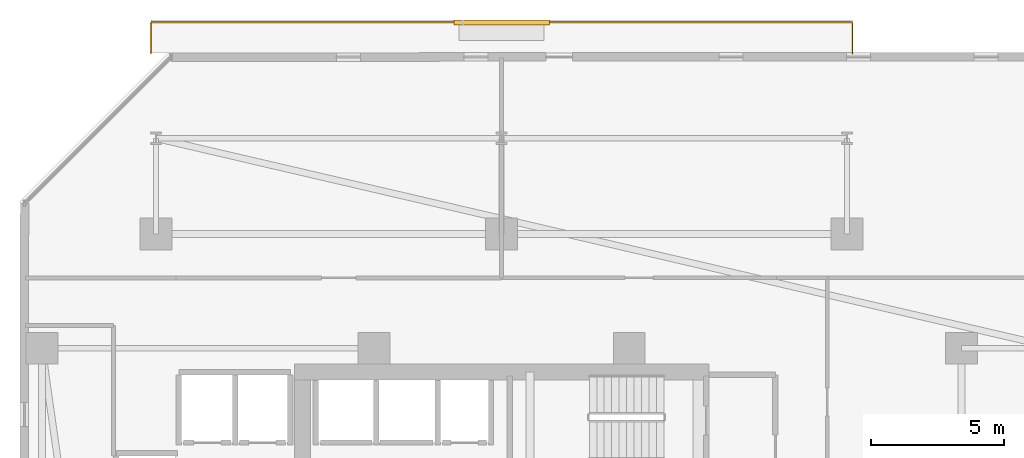
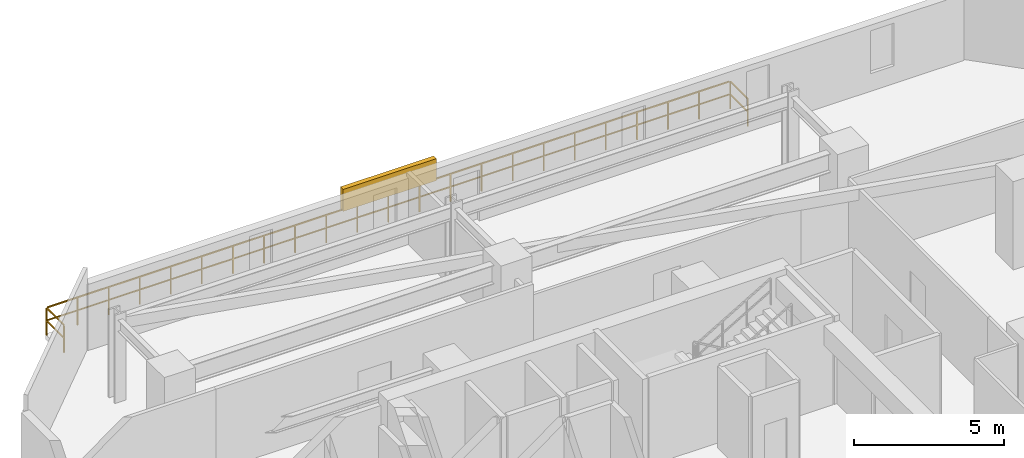
# One storey, part 27 of 29: 1 railing, 1 shading device.
"""IFC4 building model written with IfcOpenShell, lengths in metres."""

from ifc_helpers import new_model, si_unit, direction, frame, origin, origin_2d, place, context, subcontext, project, spatial, rectangle, extrude, material, type_object, element, save


model = new_model("IFC4")

# Units and contexts
model_context = context("Model", 3, precision=1e-05, world=origin(), true_north=direction((0.0, 1.0)))
body_context = subcontext(model_context, "Body", "Model", "MODEL_VIEW")
ifc_project = project(units=[si_unit("LENGTHUNIT", "METRE"), si_unit("AREAUNIT", "SQUARE_METRE"), si_unit("VOLUMEUNIT", "CUBIC_METRE"), si_unit("PLANEANGLEUNIT", "RADIAN"), si_unit("MASSUNIT", "GRAM", prefix="KILO")], contexts=[model_context])

# Site, building, storey
site_placement = place(None, origin())
site = spatial("IfcSite", under=ifc_project, at=site_placement, CompositionType="ELEMENT")
building_placement = place(site_placement, origin())
building = spatial("IfcBuilding", under=site, at=building_placement, Name="Thornwick Lancets Civic Towers", CompositionType="ELEMENT")
storey_placement = place(building_placement, frame((0.0, 0.0, 83.699951171875)))
storey = spatial("IfcBuildingStorey", under=building, at=storey_placement, Name="L21", CompositionType="ELEMENT", Elevation=83.699951171875)

# Railing
ifc_material_1 = material(Name="Terracotta-capped laminated glass balustrade S355", Category="masonry")
railing_type = type_object("IfcRailingType", Name="RAIL_TERR_GUARD", PredefinedType="GUARDRAIL", material=ifc_material_1)
railing_placement = place(storey_placement, frame((12.300048828125, 51.10009765625, 0.0)))
element("IfcRailing", 1, at=railing_placement, inside=storey, type_object=railing_type, Name="L21 Tower A Balcony Guard N", PredefinedType="GUARDRAIL", context=body_context, shape_type="SweptSolid", body=[
    extrude(rectangle(XDim=0.048095703125, YDim=0.048095703125, at=origin_2d()), frame((0.0, 0.0, 1.1259765625), z_axis=(0.0, 1.0, 0.0), x_axis=(-1.0, 0.0, 0.0)), (0.0, 0.0, 1.0), 1.138671875),
    extrude(rectangle(XDim=0.0419921875, YDim=0.0419921875, at=origin_2d()), frame((0.0, 0.03759765625, 0.597900390625), z_axis=(0.0, 1.0, 0.0), x_axis=(-1.0, 0.0, 0.0)), (0.0, 0.0, 1.0), 1.094970703125),
    extrude(rectangle(XDim=0.048095703125, YDim=0.048095703125, at=origin_2d()), frame((0.03125, 1.169921875, 1.1259765625), z_axis=(1.0, 0.0, 0.0), x_axis=(0.0, 1.0, 0.0)), (0.0, 0.0, 1.0), 26.33740234375),
    extrude(rectangle(XDim=0.0419921875, YDim=0.0419921875, at=origin_2d()), frame((0.03759765625, 1.169921875, 0.597900390625), z_axis=(1.0, 0.0, 0.0), x_axis=(0.0, 1.0, 0.0)), (0.0, 0.0, 1.0), 1.125),
    extrude(rectangle(XDim=0.0419921875, YDim=0.0419921875, at=origin_2d()), frame((1.237548828125, 1.169921875, 0.597900390625), z_axis=(1.0, 0.0, 0.0), x_axis=(0.0, 1.0, 0.0)), (0.0, 0.0, 1.0), 1.125),
    extrude(rectangle(XDim=0.0419921875, YDim=0.0419921875, at=origin_2d()), frame((2.4375, 1.169921875, 0.597900390625), z_axis=(1.0, 0.0, 0.0), x_axis=(0.0, 1.0, 0.0)), (0.0, 0.0, 1.0), 1.125),
    extrude(rectangle(XDim=0.0419921875, YDim=0.0419921875, at=origin_2d()), frame((3.637451171875, 1.169921875, 0.597900390625), z_axis=(1.0, 0.0, 0.0), x_axis=(0.0, 1.0, 0.0)), (0.0, 0.0, 1.0), 1.125),
    extrude(rectangle(XDim=0.0419921875, YDim=0.0419921875, at=origin_2d()), frame((4.83740234375, 1.169921875, 0.597900390625), z_axis=(1.0, 0.0, 0.0), x_axis=(0.0, 1.0, 0.0)), (0.0, 0.0, 1.0), 1.125),
    extrude(rectangle(XDim=0.0419921875, YDim=0.0419921875, at=origin_2d()), frame((6.037353515625, 1.169921875, 0.597900390625), z_axis=(1.0, 0.0, 0.0), x_axis=(0.0, 1.0, 0.0)), (0.0, 0.0, 1.0), 1.125),
    extrude(rectangle(XDim=0.0419921875, YDim=0.0419921875, at=origin_2d()), frame((7.237548828125, 1.169921875, 0.597900390625), z_axis=(1.0, 0.0, 0.0), x_axis=(0.0, 1.0, 0.0)), (0.0, 0.0, 1.0), 1.125),
    extrude(rectangle(XDim=0.0419921875, YDim=0.0419921875, at=origin_2d()), frame((8.4375, 1.169921875, 0.597900390625), z_axis=(1.0, 0.0, 0.0), x_axis=(0.0, 1.0, 0.0)), (0.0, 0.0, 1.0), 1.125),
    extrude(rectangle(XDim=0.0419921875, YDim=0.0419921875, at=origin_2d()), frame((9.637451171875, 1.169921875, 0.597900390625), z_axis=(1.0, 0.0, 0.0), x_axis=(0.0, 1.0, 0.0)), (0.0, 0.0, 1.0), 1.125),
    extrude(rectangle(XDim=0.0419921875, YDim=0.0419921875, at=origin_2d()), frame((10.83740234375, 1.169921875, 0.597900390625), z_axis=(1.0, 0.0, 0.0), x_axis=(0.0, 1.0, 0.0)), (0.0, 0.0, 1.0), 1.125),
    extrude(rectangle(XDim=0.0419921875, YDim=0.0419921875, at=origin_2d()), frame((12.037353515625, 1.169921875, 0.597900390625), z_axis=(1.0, 0.0, 0.0), x_axis=(0.0, 1.0, 0.0)), (0.0, 0.0, 1.0), 1.125),
    extrude(rectangle(XDim=0.0419921875, YDim=0.0419921875, at=origin_2d()), frame((13.237548828125, 1.169921875, 0.597900390625), z_axis=(1.0, 0.0, 0.0), x_axis=(0.0, 1.0, 0.0)), (0.0, 0.0, 1.0), 1.125),
    extrude(rectangle(XDim=0.0419921875, YDim=0.0419921875, at=origin_2d()), frame((14.4375, 1.169921875, 0.597900390625), z_axis=(1.0, 0.0, 0.0), x_axis=(0.0, 1.0, 0.0)), (0.0, 0.0, 1.0), 1.125),
    extrude(rectangle(XDim=0.0419921875, YDim=0.0419921875, at=origin_2d()), frame((15.637451171875, 1.169921875, 0.597900390625), z_axis=(1.0, 0.0, 0.0), x_axis=(0.0, 1.0, 0.0)), (0.0, 0.0, 1.0), 1.125),
    extrude(rectangle(XDim=0.0419921875, YDim=0.0419921875, at=origin_2d()), frame((16.83740234375, 1.169921875, 0.597900390625), z_axis=(1.0, 0.0, 0.0), x_axis=(0.0, 1.0, 0.0)), (0.0, 0.0, 1.0), 1.125),
    extrude(rectangle(XDim=0.0419921875, YDim=0.0419921875, at=origin_2d()), frame((18.037353515625, 1.169921875, 0.597900390625), z_axis=(1.0, 0.0, 0.0), x_axis=(0.0, 1.0, 0.0)), (0.0, 0.0, 1.0), 1.125),
    extrude(rectangle(XDim=0.0419921875, YDim=0.0419921875, at=origin_2d()), frame((19.2373046875, 1.169921875, 0.597900390625), z_axis=(1.0, 0.0, 0.0), x_axis=(0.0, 1.0, 0.0)), (0.0, 0.0, 1.0), 1.125),
    extrude(rectangle(XDim=0.0419921875, YDim=0.0419921875, at=origin_2d()), frame((20.4375, 1.169921875, 0.597900390625), z_axis=(1.0, 0.0, 0.0), x_axis=(0.0, 1.0, 0.0)), (0.0, 0.0, 1.0), 1.125),
    extrude(rectangle(XDim=0.0419921875, YDim=0.0419921875, at=origin_2d()), frame((21.637451171875, 1.169921875, 0.597900390625), z_axis=(1.0, 0.0, 0.0), x_axis=(0.0, 1.0, 0.0)), (0.0, 0.0, 1.0), 1.125),
    extrude(rectangle(XDim=0.0419921875, YDim=0.0419921875, at=origin_2d()), frame((22.83740234375, 1.169921875, 0.597900390625), z_axis=(1.0, 0.0, 0.0), x_axis=(0.0, 1.0, 0.0)), (0.0, 0.0, 1.0), 1.125),
    extrude(rectangle(XDim=0.0419921875, YDim=0.0419921875, at=origin_2d()), frame((24.037353515625, 1.169921875, 0.597900390625), z_axis=(1.0, 0.0, 0.0), x_axis=(0.0, 1.0, 0.0)), (0.0, 0.0, 1.0), 1.125),
    extrude(rectangle(XDim=0.0419921875, YDim=0.0419921875, at=origin_2d()), frame((25.2373046875, 1.169921875, 0.597900390625), z_axis=(1.0, 0.0, 0.0), x_axis=(0.0, 1.0, 0.0)), (0.0, 0.0, 1.0), 1.125),
    extrude(rectangle(XDim=0.048095703125, YDim=0.048095703125, at=origin_2d()), frame((26.39990234375, 1.138671875, 1.1259765625), z_axis=(0.0, -1.0, 0.0), x_axis=(1.0, 0.0, 0.0)), (0.0, 0.0, 1.0), 1.138671875),
    extrude(rectangle(XDim=0.0419921875, YDim=0.0419921875, at=origin_2d()), frame((26.39990234375, 1.13232421875, 0.597900390625), z_axis=(0.0, -1.0, 0.0), x_axis=(1.0, 0.0, 0.0)), (0.0, 0.0, 1.0), 1.094970703125),
    extrude(rectangle(XDim=0.0419921875, YDim=0.0419921875, at=origin_2d()), origin(), (0.0, 0.0, 1.0), 1.095703125),
    extrude(rectangle(XDim=0.0419921875, YDim=0.0419921875, at=origin_2d()), frame((0.0, 1.169921875, 0.0)), (0.0, 0.0, 1.0), 1.095703125),
    extrude(rectangle(XDim=0.0419921875, YDim=0.0419921875, at=origin_2d()), frame((1.199951171875, 1.169921875, 0.0)), (0.0, 0.0, 1.0), 1.095703125),
    extrude(rectangle(XDim=0.0419921875, YDim=0.0419921875, at=origin_2d()), frame((2.39990234375, 1.169921875, 0.0)), (0.0, 0.0, 1.0), 1.095703125),
    extrude(rectangle(XDim=0.0419921875, YDim=0.0419921875, at=origin_2d()), frame((3.60009765625, 1.169921875, 0.0)), (0.0, 0.0, 1.0), 1.095703125),
    extrude(rectangle(XDim=0.0419921875, YDim=0.0419921875, at=origin_2d()), frame((4.800048828125, 1.169921875, 0.0)), (0.0, 0.0, 1.0), 1.095703125),
    extrude(rectangle(XDim=0.0419921875, YDim=0.0419921875, at=origin_2d()), frame((6.0, 1.169921875, 0.0)), (0.0, 0.0, 1.0), 1.095703125),
    extrude(rectangle(XDim=0.0419921875, YDim=0.0419921875, at=origin_2d()), frame((7.199951171875, 1.169921875, 0.0)), (0.0, 0.0, 1.0), 1.095703125),
    extrude(rectangle(XDim=0.0419921875, YDim=0.0419921875, at=origin_2d()), frame((8.39990234375, 1.169921875, 0.0)), (0.0, 0.0, 1.0), 1.095703125),
    extrude(rectangle(XDim=0.0419921875, YDim=0.0419921875, at=origin_2d()), frame((9.599853515625, 1.169921875, 0.0)), (0.0, 0.0, 1.0), 1.095703125),
    extrude(rectangle(XDim=0.0419921875, YDim=0.0419921875, at=origin_2d()), frame((10.800048828125, 1.169921875, 0.0)), (0.0, 0.0, 1.0), 1.095703125),
    extrude(rectangle(XDim=0.0419921875, YDim=0.0419921875, at=origin_2d()), frame((12.0, 1.169921875, 0.0)), (0.0, 0.0, 1.0), 1.095703125),
    extrude(rectangle(XDim=0.0419921875, YDim=0.0419921875, at=origin_2d()), frame((13.199951171875, 1.169921875, 0.0)), (0.0, 0.0, 1.0), 1.095703125),
    extrude(rectangle(XDim=0.0419921875, YDim=0.0419921875, at=origin_2d()), frame((14.39990234375, 1.169921875, 0.0)), (0.0, 0.0, 1.0), 1.095703125),
    extrude(rectangle(XDim=0.0419921875, YDim=0.0419921875, at=origin_2d()), frame((15.599853515625, 1.169921875, 0.0)), (0.0, 0.0, 1.0), 1.095703125),
    extrude(rectangle(XDim=0.0419921875, YDim=0.0419921875, at=origin_2d()), frame((16.800048828125, 1.169921875, 0.0)), (0.0, 0.0, 1.0), 1.095703125),
    extrude(rectangle(XDim=0.0419921875, YDim=0.0419921875, at=origin_2d()), frame((18.0, 1.169921875, 0.0)), (0.0, 0.0, 1.0), 1.095703125),
    extrude(rectangle(XDim=0.0419921875, YDim=0.0419921875, at=origin_2d()), frame((19.199951171875, 1.169921875, 0.0)), (0.0, 0.0, 1.0), 1.095703125),
    extrude(rectangle(XDim=0.0419921875, YDim=0.0419921875, at=origin_2d()), frame((20.39990234375, 1.169921875, 0.0)), (0.0, 0.0, 1.0), 1.095703125),
    extrude(rectangle(XDim=0.0419921875, YDim=0.0419921875, at=origin_2d()), frame((21.599853515625, 1.169921875, 0.0)), (0.0, 0.0, 1.0), 1.095703125),
    extrude(rectangle(XDim=0.0419921875, YDim=0.0419921875, at=origin_2d()), frame((22.7998046875, 1.169921875, 0.0)), (0.0, 0.0, 1.0), 1.095703125),
    extrude(rectangle(XDim=0.0419921875, YDim=0.0419921875, at=origin_2d()), frame((24.0, 1.169921875, 0.0)), (0.0, 0.0, 1.0), 1.095703125),
    extrude(rectangle(XDim=0.0419921875, YDim=0.0419921875, at=origin_2d()), frame((25.199951171875, 1.169921875, 0.0)), (0.0, 0.0, 1.0), 1.095703125),
    extrude(rectangle(XDim=0.0419921875, YDim=0.0419921875, at=origin_2d()), frame((26.39990234375, 1.169921875, 0.0)), (0.0, 0.0, 1.0), 1.095703125),
    extrude(rectangle(XDim=0.0419921875, YDim=0.0419921875, at=origin_2d()), frame((26.39990234375, 0.0, 0.0)), (0.0, 0.0, 1.0), 1.095703125),
])

# Shading device
ifc_material_2 = material(Name="Extruded terracotta baguette solar screen", Category="masonry")
shading_device_type = type_object("IfcShadingDeviceType", Name="SHADE_BAGUETTE", PredefinedType="JALOUSIE", material=ifc_material_2)
shading_device_placement = place(storey_placement, frame((25.5, 52.260009765625, 1.1201171875), z_axis=(0.0, 0.0, 1.0), x_axis=(1.0, 0.0, 0.0)))
element("IfcShadingDevice", 2, at=shading_device_placement, inside=storey, type_object=shading_device_type, Name="L21 Tower A Terracotta Baguette Screen N", PredefinedType="JALOUSIE", context=body_context, shape_type="SweptSolid", body=[
    extrude(rectangle(XDim=3.60009765625, YDim=0.179931640625, at=origin_2d()), origin(), (0.0, 0.0, 1.0), 0.89990234375),
])

save(model, "model.ifc")
